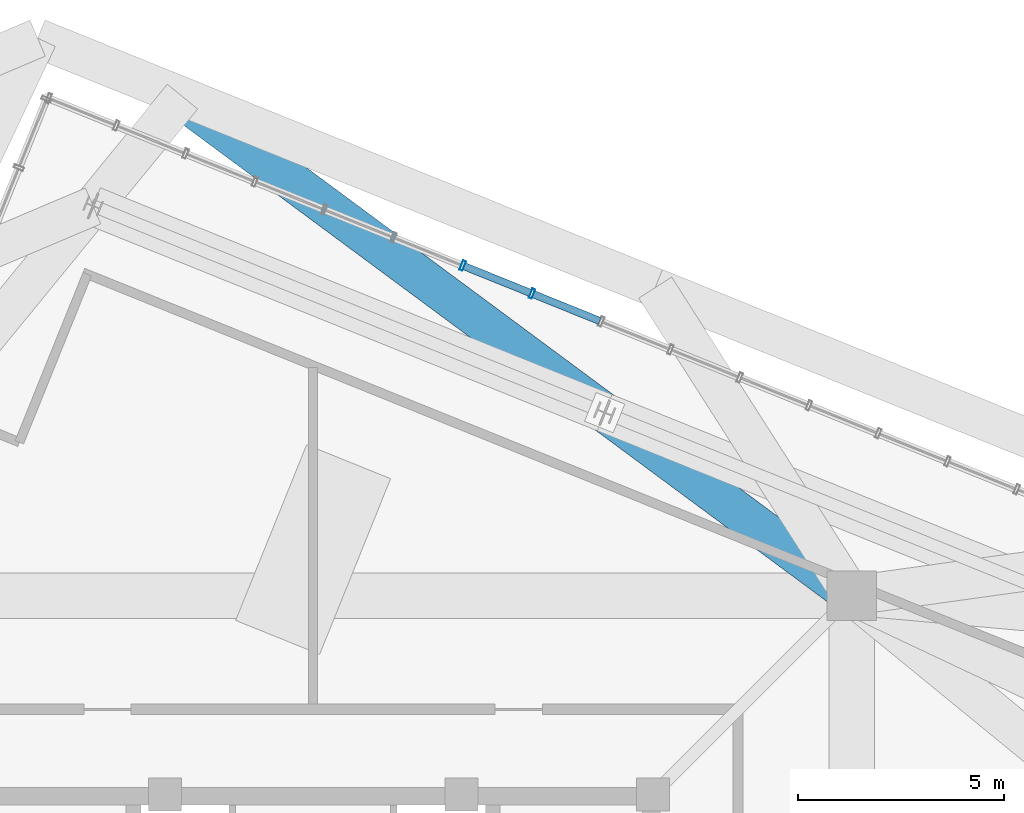
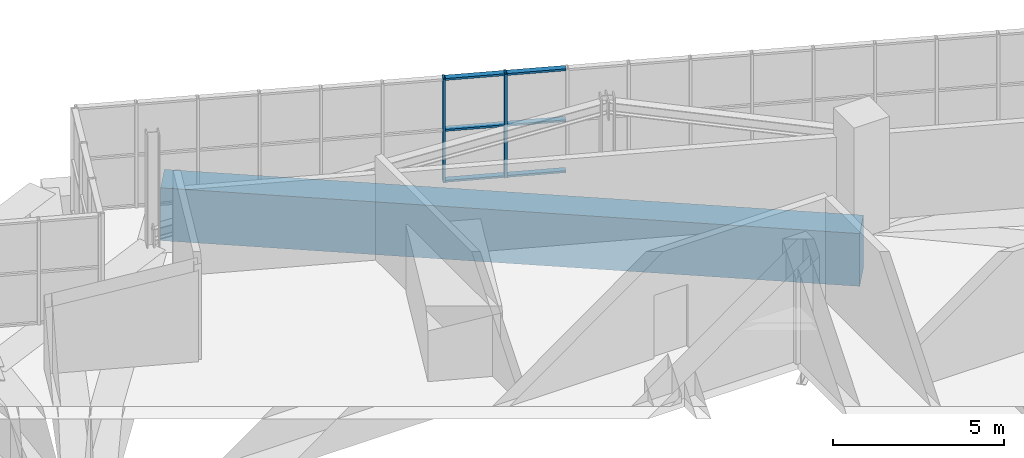
# One storey, part 22 of 35: 8 members, 1 beam, 1 element without a shape of its own.
"""IFC4 building model written with IfcOpenShell, lengths in metres."""

from ifc_helpers import new_model, si_unit, direction, frame, origin, origin_2d, place, context, subcontext, project, spatial, rectangle, hollow_rectangle, extrude, source, transform, mapped, material, layer, layer_set, material_profile, profile_set, type_object, element, aggregate, save


model = new_model("IFC4")

# Units and contexts
model_context = context("Model", 3, precision=1e-05, world=origin(), true_north=direction((0.0, 1.0)))
body_context = subcontext(model_context, "Body", "Model", "MODEL_VIEW")
ifc_project = project(units=[si_unit("LENGTHUNIT", "METRE"), si_unit("AREAUNIT", "SQUARE_METRE"), si_unit("VOLUMEUNIT", "CUBIC_METRE"), si_unit("PLANEANGLEUNIT", "RADIAN"), si_unit("MASSUNIT", "GRAM", prefix="KILO"), si_unit("THERMODYNAMICTEMPERATUREUNIT", "KELVIN")], contexts=[model_context])

# Site, building, storey
site_placement = place(None, origin())
site = spatial("IfcSite", under=ifc_project, at=site_placement, CompositionType="ELEMENT")
building_placement = place(site_placement, origin())
building = spatial("IfcBuilding", under=site, at=building_placement, Name="Kosmvard Interchange Tower", CompositionType="ELEMENT")
storey_placement = place(building_placement, frame((0.0, 0.0, 321.60009765625)))
storey = spatial("IfcBuildingStorey", under=building, at=storey_placement, Name="L79", CompositionType="ELEMENT", Elevation=321.60009765625)

# Beam
ifc_material_1 = material(Name="Concrete C60/75", Category="concrete")
ifc_material_profile_1 = material_profile(ifc_material_1, rectangle(XDim=0.949951171875, YDim=1.8798828125, at=origin_2d()), Name="TG 950x1880")
ifc_profile_set_1 = profile_set([ifc_material_profile_1], Name="Concrete C60/75")
beam_type = type_object("IfcBeamType", Name="Upper Long-Span Transfer Girder 950x1880 C60/75", PredefinedType="USERDEFINED", material=ifc_profile_set_1)
shared_shape_1 = source(origin(), body_context, "Body", "SweptSolid", [
    extrude(rectangle(XDim=0.949951171875, YDim=1.8798828125, at=origin_2d()), origin(), (0.0, 0.0, 1.0), 20.5341796875),
])
beam_placement = place(storey_placement, frame((13.0810546875, 13.0810546875, -0.940185546875), z_axis=(-0.803708392954, 0.595023376931, 0.0), x_axis=(-0.595023376931, -0.803708392954, 0.0)))
element("IfcBeam", 1, at=beam_placement, inside=storey, type_object=beam_type, Name="BM-L79-RD05", ObjectType="TRANSFER_GIRDER", PredefinedType="USERDEFINED", context=body_context, shape_type="MappedRepresentation", body=[
    mapped(shared_shape_1, transform((0.0, 0.0, 0.0), scale=1.0)),
])

# Curtain wall, members
ifc_material_2 = material(Name="Architectural anodised aluminium", Category="aluminium")
ifc_layer = layer(ifc_material_2, 0.25, Name="Architectural anodised aluminium")
ifc_layer_set = layer_set([ifc_layer], Name="Architectural anodised aluminium")
curtain_wall_type = type_object("IfcCurtainWallType", Name="CW-6 Illuminated Crown Lantern Curtain Wall", PredefinedType="NOTDEFINED", material=ifc_layer_set)
curtain_wall_placement = place(storey_placement, origin())
curtain_wall = element("IfcCurtainWall", 2, at=curtain_wall_placement, inside=storey, type_object=curtain_wall_type, Name="L79 Crown Lantern Glazing Face 04", PredefinedType="NOTDEFINED")
ifc_material_profile_2 = material_profile(ifc_material_2, hollow_rectangle(XDim=0.239990234375, YDim=0.080078125, WallThickness=0.006103515625, at=origin_2d()), Name="CWM 240x80x6")
ifc_profile_set_2 = profile_set([ifc_material_profile_2], Name="Architectural anodised aluminium")
member_type_1 = type_object("IfcMemberType", Name="Lantern & Observation CW Mullion 240x80 Aluminium", PredefinedType="MULLION", material=ifc_profile_set_2)
shared_shape_2 = source(origin(), body_context, "Body", "SweptSolid", [
    extrude(hollow_rectangle(XDim=0.239990234375, YDim=0.080078125, WallThickness=0.006103515625, at=origin_2d()), origin(), (0.0, 0.0, 1.0), 3.699951171875),
])
member_1_placement = place(storey_placement, frame((5.313720703125, 20.416015625, 0.0), z_axis=(0.0, 0.0, 1.0), x_axis=(-0.374606584758, -0.927183858065, 0.0)))
member_1 = element("IfcMember", 3, at=member_1_placement, type_object=member_type_1, Name="CW-6 mullion 11", PredefinedType="MULLION", context=body_context, shape_type="MappedRepresentation", body=[
    mapped(shared_shape_2, transform((0.0, 0.0, 0.0), scale=1.0)),
])
member_2_placement = place(storey_placement, frame((3.6318359375, 21.095703125, 0.0), z_axis=(0.0, 0.0, 1.0), x_axis=(-0.374606584758, -0.927183858065, 0.0)))
member_2 = element("IfcMember", 4, at=member_2_placement, type_object=member_type_1, Name="CW-6 mullion 12", PredefinedType="MULLION", context=body_context, shape_type="MappedRepresentation", body=[
    mapped(shared_shape_2, transform((0.0, 0.0, 0.0), scale=1.0)),
])
ifc_material_profile_3 = material_profile(ifc_material_2, hollow_rectangle(XDim=0.179931640625, YDim=0.070068359375, WallThickness=0.0048828125, at=origin_2d()), Name="CWT 180x70x5")
ifc_profile_set_3 = profile_set([ifc_material_profile_3], Name="Architectural anodised aluminium")
member_type_2 = type_object("IfcMemberType", Name="Heavy Lantern CW Transom 180x70 Aluminium", PredefinedType="USERDEFINED", material=ifc_profile_set_3)
shared_shape_3 = source(origin(), body_context, "Body", "SweptSolid", [
    extrude(hollow_rectangle(XDim=0.179931640625, YDim=0.070068359375, WallThickness=0.0048828125, at=origin_2d()), origin(), (0.0, 0.0, 1.0), 1.734130859375),
])
member_3_placement = place(storey_placement, frame((6.958740234375, 19.75146484375, 0.034912109375), z_axis=(-0.927179782522, 0.374616671924, 0.0), x_axis=(-0.374616671924, -0.927179782522, 0.0)))
member_3 = element("IfcMember", 5, at=member_3_placement, type_object=member_type_2, Name="CW-6 transom 10.1", ObjectType="TRANSOM", PredefinedType="USERDEFINED", context=body_context, shape_type="MappedRepresentation", body=[
    mapped(shared_shape_3, transform((0.0, 0.0, 0.0), scale=1.0)),
])
member_4_placement = place(storey_placement, frame((6.958740234375, 19.75146484375, 1.849853515625), z_axis=(-0.927179782522, 0.374616671924, 0.0), x_axis=(-0.374616671924, -0.927179782522, 0.0)))
member_4 = element("IfcMember", 6, at=member_4_placement, type_object=member_type_2, Name="CW-6 transom 10.2", ObjectType="TRANSOM", PredefinedType="USERDEFINED", context=body_context, shape_type="MappedRepresentation", body=[
    mapped(shared_shape_3, transform((0.0, 0.0, 0.0), scale=1.0)),
])
member_5_placement = place(storey_placement, frame((6.958740234375, 19.75146484375, 3.664794921875), z_axis=(-0.927179782522, 0.374616671924, 0.0), x_axis=(-0.374616671924, -0.927179782522, 0.0)))
member_5 = element("IfcMember", 7, at=member_5_placement, type_object=member_type_2, Name="CW-6 transom 10.3", ObjectType="TRANSOM", PredefinedType="USERDEFINED", context=body_context, shape_type="MappedRepresentation", body=[
    mapped(shared_shape_3, transform((0.0, 0.0, 0.0), scale=1.0)),
])
member_6_placement = place(storey_placement, frame((5.276611328125, 20.43115234375, 0.034912109375), z_axis=(-0.927228675447, 0.374495638732, 0.0), x_axis=(-0.374495638732, -0.927228675447, 0.0)))
member_6 = element("IfcMember", 8, at=member_6_placement, type_object=member_type_2, Name="CW-6 transom 11.1", ObjectType="TRANSOM", PredefinedType="USERDEFINED", context=body_context, shape_type="MappedRepresentation", body=[
    mapped(shared_shape_3, transform((0.0, 0.0, 0.0), scale=1.0)),
])
member_7_placement = place(storey_placement, frame((5.276611328125, 20.43115234375, 1.849853515625), z_axis=(-0.927228675447, 0.374495638732, 0.0), x_axis=(-0.374495638732, -0.927228675447, 0.0)))
member_7 = element("IfcMember", 9, at=member_7_placement, type_object=member_type_2, Name="CW-6 transom 11.2", ObjectType="TRANSOM", PredefinedType="USERDEFINED", context=body_context, shape_type="MappedRepresentation", body=[
    mapped(shared_shape_3, transform((0.0, 0.0, 0.0), scale=1.0)),
])
member_8_placement = place(storey_placement, frame((5.276611328125, 20.43115234375, 3.664794921875), z_axis=(-0.927228675447, 0.374495638732, 0.0), x_axis=(-0.374495638732, -0.927228675447, 0.0)))
member_8 = element("IfcMember", 10, at=member_8_placement, type_object=member_type_2, Name="CW-6 transom 11.3", ObjectType="TRANSOM", PredefinedType="USERDEFINED", context=body_context, shape_type="MappedRepresentation", body=[
    mapped(shared_shape_3, transform((0.0, 0.0, 0.0), scale=1.0)),
])
aggregate(curtain_wall, [member_1, member_2, member_3, member_4, member_5, member_6, member_7, member_8])

save(model, "model.ifc")
